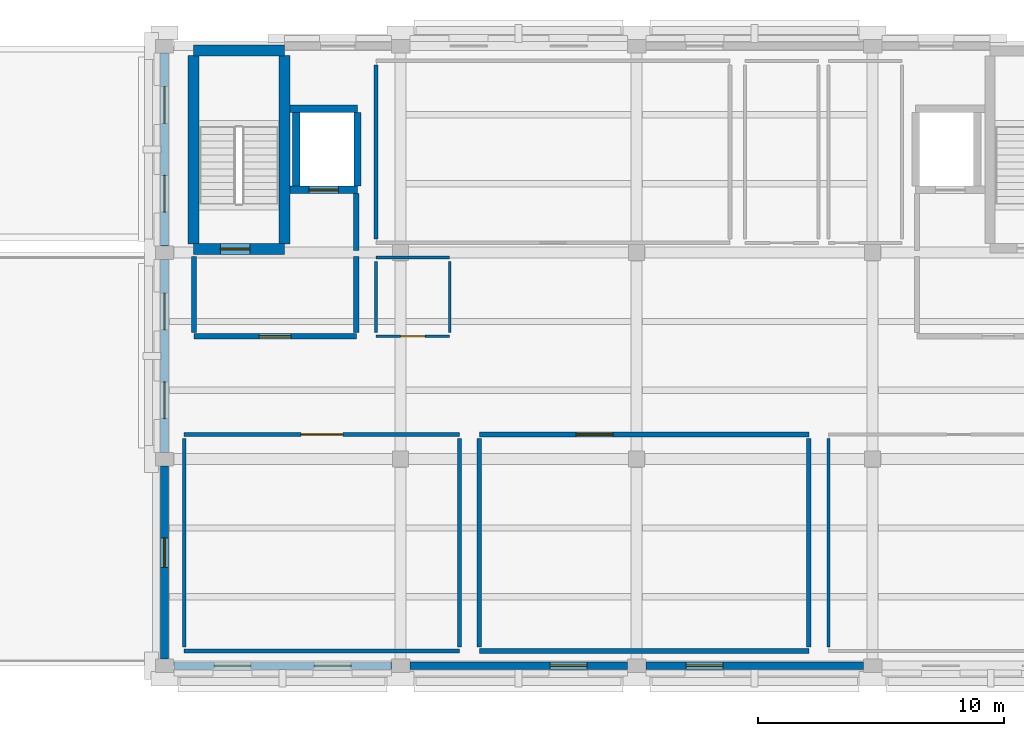
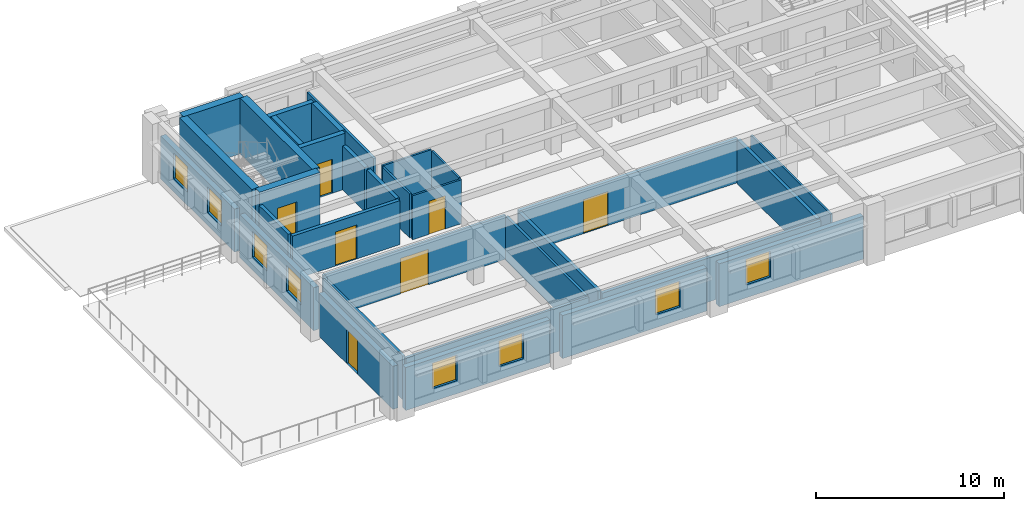
# One storey, part 2 of 7: 32 walls, 8 windows, 7 doors, 15 openings.
"""IFC4 building model written with IfcOpenShell, lengths in metres."""

import ifcopenshell
import ifcopenshell.guid

model = None  # the IFC model being written
_history = None  # IfcOwnerHistory: only IFC2X3 demands one
_inside = {}  # id of a spatial element -> (the spatial element, [elements in it])
_under = {}  # id of a project, library or spatial element -> (it, [spatial elements below it])
_declared = {}  # id of a project -> (the project, [libraries it declares])
_typed = {}  # id of a type object -> (the type object, [elements of that type])
_made_of = {}  # id of a material, layer set ... -> (it, [elements and type objects made of it])


def new_model(schema):
    """Start an empty IFC model of exactly this schema.

    Asked for "IFC4X3", IfcOpenShell would pick the latest addendum, in which some entities
    have other attributes; the version numbers below select the first issue.
    IFC2X3 requires an IfcOwnerHistory on every rooted entity: one is made here for all.
    """
    global model, _history
    if schema == "IFC4X3":
        model = ifcopenshell.file(schema_version=(4, 3, 0, 0))
    else:
        model = ifcopenshell.file(schema=schema)
    _inside.clear()
    _under.clear()
    _declared.clear()
    _typed.clear()
    _made_of.clear()
    _history = None
    if model.schema == "IFC2X3":
        org = make("IfcOrganization", Name="unknown")
        user = make(
            "IfcPersonAndOrganization",
            ThePerson=make("IfcPerson", FamilyName="unknown"),
            TheOrganization=org,
        )
        app = make(
            "IfcApplication",
            ApplicationDeveloper=org,
            Version="unknown",
            ApplicationFullName="unknown",
            ApplicationIdentifier="unknown",
        )
        _history = make(
            "IfcOwnerHistory",
            OwningUser=user,
            OwningApplication=app,
            ChangeAction="ADDED",
            CreationDate=0,
        )
    return model


def make(cls, **values):
    """One entity of the class cls with the attributes given. An attribute that is None is left unset."""
    return model.create_entity(
        cls, **{name: value for name, value in values.items() if value is not None}
    )


def rooted(cls, **values):
    """An entity with a GlobalId (a new one), such as an element, a storey or a relation."""
    return make(cls, GlobalId=ifcopenshell.guid.new(), OwnerHistory=_history, **values)


def si_unit(unit_type, name, prefix=None):
    """IfcSIUnit, for example si_unit("LENGTHUNIT", "METRE", prefix="MILLI")."""
    return make("IfcSIUnit", UnitType=unit_type, Prefix=prefix, Name=name)


def assignment(units):
    """IfcUnitAssignment: the units of a project."""
    return None if units is None else make("IfcUnitAssignment", Units=units)


def point(xyz):
    """IfcCartesianPoint."""
    return None if xyz is None else make("IfcCartesianPoint", Coordinates=xyz)


def direction(xyz):
    """IfcDirection."""
    return None if xyz is None else make("IfcDirection", DirectionRatios=xyz)


def frame(location, z_axis=None, x_axis=None):
    """IfcAxis2Placement3D, a coordinate frame: its origin and axes. An axis left out is left unset."""
    return make(
        "IfcAxis2Placement3D",
        Location=point(location),
        Axis=direction(z_axis),
        RefDirection=direction(x_axis),
    )


def frame_2d(location, x_axis=None):
    """IfcAxis2Placement2D, a coordinate frame in the plane: its origin and x axis."""
    return make(
        "IfcAxis2Placement2D", Location=point(location), RefDirection=direction(x_axis)
    )


def origin():
    """The frame at (0, 0, 0) with its axes left unset."""
    return frame((0.0, 0.0, 0.0))


def place(relative_to, where):
    """IfcLocalPlacement: puts the frame where relative to a parent placement (None: the world)."""
    return make(
        "IfcLocalPlacement", PlacementRelTo=relative_to, RelativePlacement=where
    )


def context(
    kind, dimensions, precision=None, world=None, true_north=None, identifier=None
):
    """IfcGeometricRepresentationContext, for example the 3D "Model" context."""
    return make(
        "IfcGeometricRepresentationContext",
        ContextIdentifier=identifier,
        ContextType=kind,
        CoordinateSpaceDimension=dimensions,
        Precision=precision,
        WorldCoordinateSystem=world,
        TrueNorth=true_north,
    )


def subcontext(parent, identifier, kind, view, scale=None):
    """IfcGeometricRepresentationSubContext, for example "Body" below "Model"."""
    return make(
        "IfcGeometricRepresentationSubContext",
        ContextIdentifier=identifier,
        ContextType=kind,
        ParentContext=parent,
        TargetScale=scale,
        TargetView=view,
    )


def project(units=None, contexts=None):
    """IfcProject with its units and contexts."""
    return rooted(
        "IfcProject",
        Name="project",
        RepresentationContexts=contexts,
        UnitsInContext=assignment(units),
    )


def spatial(cls, under=None, at=None, **own):
    """A site, building, storey or space (cls), placed at a placement, below another one or the project."""
    s = rooted(cls, ObjectPlacement=at, **own)
    if under is not None:
        _under.setdefault(under.id(), (under, []))[1].append(s)
    return s


def profile(cls, at=None, kind="AREA", **sizes):
    """A parametric profile (cls). Its sizes go by their IFC names, for example OverallWidth=200.0."""
    return make(cls, ProfileType=kind, Position=at, **sizes)


def rectangle(**sizes):
    """IfcRectangleProfileDef."""
    return profile("IfcRectangleProfileDef", **sizes)


def extrude(swept, where, along, depth):
    """IfcExtrudedAreaSolid: the profile swept, set in the frame where, extruded along a direction by depth."""
    return make(
        "IfcExtrudedAreaSolid",
        SweptArea=swept,
        Position=where,
        ExtrudedDirection=direction(along),
        Depth=depth,
    )


def shape(context_of_items, identifier, shape_type, items):
    """IfcShapeRepresentation: the items that make up one representation, for example the "Body"."""
    return make(
        "IfcShapeRepresentation",
        ContextOfItems=context_of_items,
        RepresentationIdentifier=identifier,
        RepresentationType=shape_type,
        Items=items,
    )


def material(Name=None, Category=None):
    """IfcMaterial."""
    return make("IfcMaterial", Name=Name, Category=Category)


def layer(
    of_material, thickness, ventilated=None, Name=None, Category=None, Priority=None
):
    """IfcMaterialLayer: one layer of a wall or slab, of a material (None: an air gap)."""
    return make(
        "IfcMaterialLayer",
        Material=of_material,
        LayerThickness=thickness,
        IsVentilated=ventilated,
        Name=Name,
        Category=Category,
        Priority=Priority,
    )


def layer_set(layers, Name=None):
    """IfcMaterialLayerSet."""
    return make("IfcMaterialLayerSet", MaterialLayers=layers, LayerSetName=Name)


def made_of(thing, what):
    """Note that an element or type object is made of a material, layer set ...; save() writes the relation."""
    if what is not None:
        _made_of.setdefault(what.id(), (what, []))[1].append(thing)
    return thing


def type_object(cls, material=None, **own):
    """A type object (cls), such as IfcWallType, which elements share."""
    return made_of(rooted(cls, **own), material)


def element(
    cls,
    number,
    at=None,
    inside=None,
    cuts=None,
    type_object=None,
    material=None,
    context=None,
    identifier="Body",
    shape_type=None,
    held_by="IfcProductDefinitionShape",
    body=None,
    shapes=None,
    **own,
):
    """One element of the class cls, such as IfcWall. Its Tag is "e" and its number.

    at: its placement. inside: the storey or other place that contains it. cuts: it is an
    opening in that element (IfcRelVoidsElement). A single representation is given by context,
    identifier, shape_type and body (its items); several are given by shapes. held_by: the class
    of the entity that holds the representations. save() writes the other relations.
    """
    e = rooted(cls, Tag="e%d" % number, ObjectPlacement=at, **own)
    if body is not None:
        shapes = [shape(context, identifier, shape_type, body)]
    if shapes is not None:
        e.Representation = make(held_by, Representations=shapes)
    if inside is not None:
        _inside.setdefault(inside.id(), (inside, []))[1].append(e)
    if cuts is not None:
        rooted(
            "IfcRelVoidsElement", RelatingBuildingElement=cuts, RelatedOpeningElement=e
        )
    if type_object is not None:
        _typed.setdefault(type_object.id(), (type_object, []))[1].append(e)
    return made_of(e, material)


def fill(opening, filler):
    """IfcRelFillsElement: the door or window that sits in an opening."""
    return rooted(
        "IfcRelFillsElement",
        RelatingOpeningElement=opening,
        RelatedBuildingElement=filler,
    )


def aggregate(whole, parts):
    """IfcRelAggregates: a whole, such as a stair, and the parts it consists of."""
    return rooted("IfcRelAggregates", RelatingObject=whole, RelatedObjects=parts)


def save(model, path):
    """Write the relations noted so far, then the file.

    IfcRelAggregates (storeys below a building ...), IfcRelContainedInSpatialStructure (elements
    in a storey), IfcRelDefinesByType, IfcRelAssociatesMaterial and IfcRelDeclares: one each for
    every whole, place, type object, material and project.
    """
    for whole, parts in _under.values():
        aggregate(whole, parts)
    for where, things in _inside.values():
        rooted(
            "IfcRelContainedInSpatialStructure",
            RelatedElements=things,
            RelatingStructure=where,
        )
    for kind, things in _typed.values():
        rooted("IfcRelDefinesByType", RelatedObjects=things, RelatingType=kind)
    for what, things in _made_of.values():
        rooted("IfcRelAssociatesMaterial", RelatedObjects=things, RelatingMaterial=what)
    for by, libraries in _declared.values():
        rooted("IfcRelDeclares", RelatingContext=by, RelatedDefinitions=libraries)
    model.write(path)


model = new_model("IFC4")

# Units and contexts
model_context = context("Model", 3, precision=1e-05, world=origin(), true_north=direction((0.0, 1.0)))
body_context = subcontext(model_context, "Body", "Model", "MODEL_VIEW")
ifc_project = project(units=[si_unit("LENGTHUNIT", "METRE"), si_unit("AREAUNIT", "SQUARE_METRE"), si_unit("VOLUMEUNIT", "CUBIC_METRE"), si_unit("PLANEANGLEUNIT", "RADIAN"), si_unit("MASSUNIT", "GRAM", prefix="KILO")], contexts=[model_context])

# Site, building, storey
site_placement = place(None, origin())
site = spatial("IfcSite", under=ifc_project, at=site_placement, CompositionType="ELEMENT")
building_placement = place(site_placement, origin())
building = spatial("IfcBuilding", under=site, at=building_placement, Name="Bempovik Park Faculty of Sciences", CompositionType="ELEMENT")
storey_placement = place(building_placement, frame((0.0, 0.0, 38.39990234375)))
storey = spatial("IfcBuildingStorey", under=building, at=storey_placement, Name="L09", CompositionType="ELEMENT", Elevation=38.39990234375)

# Wall, opening, door
ifc_material_1 = material(Name="Concrete C40/50", Category="concrete")
ifc_layer_1 = layer(ifc_material_1, 0.449951171875)
ifc_layer_set_1 = layer_set([ifc_layer_1], Name="Concrete C40/50")
wall_type_1 = type_object("IfcWallType", Name="W-15 Wall 450mm", PredefinedType="SHEAR", material=ifc_layer_set_1)
wall_1_placement = place(storey_placement, frame((70.77490234375, 111.14990234375, 0.0), z_axis=(0.0, 0.0, 1.0), x_axis=(1.0, 0.0, 0.0)))
wall_1 = element("IfcWall", 1, at=wall_1_placement, inside=storey, type_object=wall_type_1, Name="ST-1 L09 Core Shear Wall South", PredefinedType="SHEAR", context=body_context, shape_type="SweptSolid", body=[
    extrude(rectangle(XDim=3.7001953125, YDim=0.449951171875, at=frame_2d((1.85009765625, 0.0))), origin(), (0.0, 0.0, 1.0), 3.6201171875),
])
opening_1_placement = place(wall_1_placement, frame((1.10009765625, 0.0, 0.0)))
opening_1 = element("IfcOpeningElement", 2, at=opening_1_placement, cuts=wall_1, Name="Opening D-49", PredefinedType="OPENING", context=body_context, shape_type="SweptSolid", body=[
    extrude(rectangle(XDim=1.199951171875, YDim=2.199951171875, at=frame_2d((0.60009765625, 1.10009765625))), frame((0.0, 0.23486328125, 0.0), z_axis=(0.0, -1.0, 0.0), x_axis=(1.0, 0.0, 0.0)), (0.0, 0.0, 1.0), 0.469970703125),
])
ifc_material_2 = material(Name="Painted steel S355", Category="steel")
door_type_1 = type_object("IfcDoorType", Name="D-49 Door 1200x2200", OperationType="NOTDEFINED", PredefinedType="DOOR", material=ifc_material_2)
door_1_placement = place(opening_1_placement, origin())
door_1 = element("IfcDoor", 3, at=door_1_placement, inside=storey, type_object=door_type_1, Name="ST-1 L09 Protected Stair Smoke Door", OperationType="SINGLE_SWING_LEFT", OverallHeight=2.199951171875, OverallWidth=1.199951171875, PredefinedType="DOOR", context=body_context, shape_type="SweptSolid", body=[
    extrude(rectangle(XDim=1.199951171875, YDim=2.199951171875, at=frame_2d((0.60009765625, 1.10009765625))), frame((0.0, 0.02490234375, 0.0), z_axis=(0.0, -1.0, 0.0), x_axis=(1.0, 0.0, 0.0)), (0.0, 0.0, 1.0), 0.050048828125),
])
fill(opening_1, door_1)

# Walls
for number, where, z_axis, x_axis, name in (
    (4, (70.77490234375, 111.35009765625, 0.0), (0.0, 0.0, 1.0), (0.0, 1.0, 0.0), "ST-1 L09 Core Shear Wall West"),
    (5, (74.47509765625, 111.35009765625, 0.0), (0.0, 0.0, 1.0), (0.0, 1.0, 0.0), "ST-1 L09 Core Shear Wall East"),
):
    element("IfcWall", number, at=place(storey_placement, frame(where, z_axis=z_axis, x_axis=x_axis)), inside=storey, type_object=wall_type_1, Name=name, PredefinedType="SHEAR", context=body_context, shape_type="SweptSolid", body=[
        extrude(rectangle(XDim=7.6748046875, YDim=0.449951171875, at=frame_2d((3.83740234375, 0.0))), origin(), (0.0, 0.0, 1.0), 3.6201171875),
    ])
wall_2_placement = place(storey_placement, frame((70.77490234375, 119.22509765625, 0.0), z_axis=(0.0, 0.0, 1.0), x_axis=(1.0, 0.0, 0.0)))
element("IfcWall", 6, at=wall_2_placement, inside=storey, type_object=wall_type_1, Name="ST-1 L09 Core Shear Wall North", PredefinedType="SHEAR", context=body_context, shape_type="SweptSolid", body=[
    extrude(rectangle(XDim=3.7001953125, YDim=0.449951171875, at=frame_2d((1.85009765625, 0.0))), origin(), (0.0, 0.0, 1.0), 3.6201171875),
])
ifc_material_3 = material(Name="Gypsum acoustic stud assembly")
ifc_layer_2 = layer(ifc_material_3, 0.1201171875)
ifc_layer_set_2 = layer_set([ifc_layer_2], Name="Gypsum acoustic stud assembly")
wall_type_2 = type_object("IfcWallType", Name="W-17 Wall 120mm", PredefinedType="PARTITIONING", material=ifc_layer_set_2)
wall_3_placement = place(storey_placement, frame((96.60009765625, 94.9599609375, 0.0), z_axis=(0.0, 0.0, 1.0), x_axis=(0.0, 1.0, 0.0)))
element("IfcWall", 7, at=wall_3_placement, inside=storey, type_object=wall_type_2, Name="L09 East Terrace Faculty Offices Partition West", PredefinedType="PARTITIONING", context=body_context, shape_type="SweptSolid", body=[
    extrude(rectangle(XDim=8.47998046875, YDim=0.1201171875, at=frame_2d((4.239990234375, 0.0))), origin(), (0.0, 0.0, 1.0), 2.85009765625),
])

# Wall, opening, door
wall_4_placement = place(storey_placement, frame((78.199951171875, 107.60009765625, 0.0), z_axis=(0.0, 0.0, 1.0), x_axis=(1.0, 0.0, 0.0)))
wall_4 = element("IfcWall", 8, at=wall_4_placement, inside=storey, type_object=wall_type_2, Name="L09 L09 Accessible WC Partition South", PredefinedType="PARTITIONING", context=body_context, shape_type="SweptSolid", body=[
    extrude(rectangle(XDim=3.0, YDim=0.1201171875, at=frame_2d((1.5, 0.0))), origin(), (0.0, 0.0, 1.0), 2.85009765625),
])
opening_2_placement = place(wall_4_placement, frame((1.0, 0.0, 0.0)))
opening_2 = element("IfcOpeningElement", 9, at=opening_2_placement, cuts=wall_4, Name="Opening D-50", PredefinedType="OPENING", context=body_context, shape_type="SweptSolid", body=[
    extrude(rectangle(XDim=1.0, YDim=2.14990234375, at=frame_2d((0.5, 1.074951171875))), frame((0.0, 0.070068359375, 0.0), z_axis=(0.0, -1.0, 0.0), x_axis=(1.0, 0.0, 0.0)), (0.0, 0.0, 1.0), 0.14013671875),
])
ifc_material_4 = material(Name="West African hardwood finish", Category="wood")
door_type_2 = type_object("IfcDoorType", Name="D-50 Door 1000x2150", OperationType="NOTDEFINED", PredefinedType="DOOR", material=ifc_material_4)
door_2_placement = place(opening_2_placement, origin())
door_2 = element("IfcDoor", 10, at=door_2_placement, inside=storey, type_object=door_type_2, Name="L09 L09 Accessible WC Door", OperationType="SINGLE_SWING_RIGHT", OverallHeight=2.14990234375, OverallWidth=1.0, PredefinedType="DOOR", context=body_context, shape_type="SweptSolid", body=[
    extrude(rectangle(XDim=1.0, YDim=2.14990234375, at=frame_2d((0.5, 1.074951171875))), frame((0.0, 0.02490234375, 0.0), z_axis=(0.0, -1.0, 0.0), x_axis=(1.0, 0.0, 0.0)), (0.0, 0.0, 1.0), 0.050048828125),
])
fill(opening_2, door_2)

# Walls
wall_5_placement = place(storey_placement, frame((78.199951171875, 110.800048828125, 0.0), z_axis=(0.0, 0.0, 1.0), x_axis=(1.0, 0.0, 0.0)))
element("IfcWall", 11, at=wall_5_placement, inside=storey, type_object=wall_type_2, Name="L09 L09 Accessible WC Partition North", PredefinedType="PARTITIONING", context=body_context, shape_type="SweptSolid", body=[
    extrude(rectangle(XDim=3.0, YDim=0.1201171875, at=frame_2d((1.5, 0.0))), origin(), (0.0, 0.0, 1.0), 2.85009765625),
])
for number, where, z_axis, x_axis, name in (
    (12, (78.199951171875, 107.760009765625, 0.0), (0.0, 0.0, 1.0), (0.0, 1.0, 0.0), "L09 L09 Accessible WC Partition West"),
    (13, (81.199951171875, 107.760009765625, 0.0), (0.0, 0.0, 1.0), (0.0, 1.0, 0.0), "L09 L09 Accessible WC Partition East"),
):
    element("IfcWall", number, at=place(storey_placement, frame(where, z_axis=z_axis, x_axis=x_axis)), inside=storey, type_object=wall_type_2, Name=name, PredefinedType="PARTITIONING", context=body_context, shape_type="SweptSolid", body=[
        extrude(rectangle(XDim=2.8798828125, YDim=0.1201171875, at=frame_2d((1.43994140625, 0.0))), origin(), (0.0, 0.0, 1.0), 2.85009765625),
    ])

# Wall, opening, door
ifc_layer_3 = layer(ifc_material_1, 0.300048828125)
ifc_layer_set_3 = layer_set([ifc_layer_3], Name="Concrete C40/50")
wall_type_3 = type_object("IfcWallType", Name="W-31 Wall 300mm", PredefinedType="SHEAR", material=ifc_layer_set_3)
wall_6_placement = place(storey_placement, frame((74.699951171875, 113.550048828125, 0.0), z_axis=(0.0, 0.0, 1.0), x_axis=(1.0, 0.0, 0.0)))
wall_6 = element("IfcWall", 14, at=wall_6_placement, inside=storey, type_object=wall_type_3, Name="Lift LF-1 L09 Shaft Wall South", PredefinedType="SHEAR", context=body_context, shape_type="SweptSolid", body=[
    extrude(rectangle(XDim=2.75, YDim=0.300048828125, at=frame_2d((1.375, 0.0))), origin(), (0.0, 0.0, 1.0), 3.6201171875),
])
opening_3_placement = place(wall_6_placement, frame((0.77490234375, 0.0, 0.0)))
opening_3 = element("IfcOpeningElement", 15, at=opening_3_placement, cuts=wall_6, Name="Opening LD-01", PredefinedType="OPENING", context=body_context, shape_type="SweptSolid", body=[
    extrude(rectangle(XDim=1.199951171875, YDim=2.199951171875, at=frame_2d((0.60009765625, 1.10009765625))), frame((0.0, 0.16015625, 0.0), z_axis=(0.0, -1.0, 0.0), x_axis=(1.0, 0.0, 0.0)), (0.0, 0.0, 1.0), 0.320068359375),
])
door_type_3 = type_object("IfcDoorType", Name="LD-01 Door 1200x2200", OperationType="NOTDEFINED", PredefinedType="DOOR", material=ifc_material_2)
door_3_placement = place(opening_3_placement, origin())
door_3 = element("IfcDoor", 16, at=door_3_placement, inside=storey, type_object=door_type_3, Name="Lift LF-1 L09 Sliding Landing Door", OperationType="SLIDING_TO_LEFT", OverallHeight=2.199951171875, OverallWidth=1.199951171875, PredefinedType="DOOR", context=body_context, shape_type="SweptSolid", body=[
    extrude(rectangle(XDim=1.199951171875, YDim=2.199951171875, at=frame_2d((0.60009765625, 1.10009765625))), frame((0.0, 0.02490234375, 0.0), z_axis=(0.0, -1.0, 0.0), x_axis=(1.0, 0.0, 0.0)), (0.0, 0.0, 1.0), 0.050048828125),
])
fill(opening_3, door_3)

# Walls
wall_7_placement = place(storey_placement, frame((74.699951171875, 116.85009765625, 0.0), z_axis=(0.0, 0.0, 1.0), x_axis=(1.0, 0.0, 0.0)))
element("IfcWall", 17, at=wall_7_placement, inside=storey, type_object=wall_type_3, Name="Lift LF-1 L09 Shaft Wall North", PredefinedType="SHEAR", context=body_context, shape_type="SweptSolid", body=[
    extrude(rectangle(XDim=2.75, YDim=0.300048828125, at=frame_2d((1.375, 0.0))), origin(), (0.0, 0.0, 1.0), 3.6201171875),
])
for number, where, z_axis, x_axis, name in (
    (18, (74.949951171875, 113.699951171875, 0.0), (0.0, 0.0, 1.0), (0.0, 1.0, 0.0), "Lift LF-1 L09 Shaft Wall West"),
    (19, (77.449951171875, 113.699951171875, 0.0), (0.0, 0.0, 1.0), (0.0, 1.0, 0.0), "Lift LF-1 L09 Shaft Wall East"),
):
    element("IfcWall", number, at=place(storey_placement, frame(where, z_axis=z_axis, x_axis=x_axis)), inside=storey, type_object=wall_type_3, Name=name, PredefinedType="SHEAR", context=body_context, shape_type="SweptSolid", body=[
        extrude(rectangle(XDim=3.0, YDim=0.300048828125, at=frame_2d((1.5, 0.0))), origin(), (0.0, 0.0, 1.0), 3.6201171875),
    ])

# Wall, opening, door
ifc_material_5 = material(Name="Concrete C35/45", Category="concrete")
ifc_layer_4 = layer(ifc_material_5, 0.219970703125)
ifc_layer_set_4 = layer_set([ifc_layer_4], Name="Concrete C35/45")
wall_type_4 = type_object("IfcWallType", Name="W-38 Wall 220mm", PredefinedType="PARTITIONING", material=ifc_layer_set_4)
wall_8_placement = place(storey_placement, frame((70.800048828125, 107.60009765625, 0.0), z_axis=(0.0, 0.0, 1.0), x_axis=(1.0, 0.0, 0.0)))
wall_8 = element("IfcWall", 20, at=wall_8_placement, inside=storey, type_object=wall_type_4, Name="L09 Firefighting Lift Lobby West Partition South", PredefinedType="PARTITIONING", context=body_context, shape_type="SweptSolid", body=[
    extrude(rectangle(XDim=6.599853515625, YDim=0.219970703125, at=frame_2d((3.2998046875, 0.0))), origin(), (0.0, 0.0, 1.0), 2.85009765625),
])
opening_4_placement = place(wall_8_placement, frame((2.64990234375, 0.0, 0.0)))
opening_4 = element("IfcOpeningElement", 21, at=opening_4_placement, cuts=wall_8, Name="Opening D-38", PredefinedType="OPENING", context=body_context, shape_type="SweptSolid", body=[
    extrude(rectangle(XDim=1.300048828125, YDim=2.199951171875, at=frame_2d((0.64990234375, 1.10009765625))), frame((0.0, 0.1201171875, 0.0), z_axis=(0.0, -1.0, 0.0), x_axis=(1.0, 0.0, 0.0)), (0.0, 0.0, 1.0), 0.239990234375),
])
door_type_4 = type_object("IfcDoorType", Name="D-38 Door 1300x2200", OperationType="NOTDEFINED", PredefinedType="DOOR", material=ifc_material_2)
door_4_placement = place(opening_4_placement, origin())
door_4 = element("IfcDoor", 22, at=door_4_placement, inside=storey, type_object=door_type_4, Name="L09 Firefighting Lift Lobby West Door", OperationType="SINGLE_SWING_RIGHT", OverallHeight=2.199951171875, OverallWidth=1.300048828125, PredefinedType="DOOR", context=body_context, shape_type="SweptSolid", body=[
    extrude(rectangle(XDim=1.300048828125, YDim=2.199951171875, at=frame_2d((0.64990234375, 1.10009765625))), frame((0.0, 0.02490234375, 0.0), z_axis=(0.0, -1.0, 0.0), x_axis=(1.0, 0.0, 0.0)), (0.0, 0.0, 1.0), 0.050048828125),
])
fill(opening_4, door_4)

# Walls
wall_9_placement = place(storey_placement, frame((77.39990234375, 111.080078125, 0.0), z_axis=(0.0, 0.0, 1.0), x_axis=(0.0, 1.0, 0.0)))
element("IfcWall", 23, at=wall_9_placement, inside=storey, type_object=wall_type_4, Name="L09 Firefighting Lobby West Lift Link Wall", PredefinedType="PARTITIONING", context=body_context, shape_type="SweptSolid", body=[
    extrude(rectangle(XDim=2.31982421875, YDim=0.219970703125, at=frame_2d((1.159912109375, 0.0))), origin(), (0.0, 0.0, 1.0), 2.85009765625),
])
for number, where, z_axis, x_axis, name in (
    (24, (70.800048828125, 107.760009765625, 0.0), (0.0, 0.0, 1.0), (0.0, 1.0, 0.0), "L09 Firefighting Lift Lobby West Partition West"),
    (25, (77.39990234375, 107.760009765625, 0.0), (0.0, 0.0, 1.0), (0.0, 1.0, 0.0), "L09 Firefighting Lift Lobby West Partition East"),
):
    element("IfcWall", number, at=place(storey_placement, frame(where, z_axis=z_axis, x_axis=x_axis)), inside=storey, type_object=wall_type_4, Name=name, PredefinedType="PARTITIONING", context=body_context, shape_type="SweptSolid", body=[
        extrude(rectangle(XDim=3.080078125, YDim=0.219970703125, at=frame_2d((1.5400390625, 0.0))), origin(), (0.0, 0.0, 1.0), 2.85009765625),
    ])
ifc_layer_5 = layer(ifc_material_3, 0.14990234375)
ifc_layer_set_5 = layer_set([ifc_layer_5], Name="Gypsum acoustic stud assembly")
wall_type_5 = type_object("IfcWallType", Name="W-42 Wall 150mm", PredefinedType="PARTITIONING", material=ifc_layer_set_5)
wall_10_placement = place(storey_placement, frame((70.39990234375, 94.800048828125, 0.0), z_axis=(0.0, 0.0, 1.0), x_axis=(1.0, 0.0, 0.0)))
element("IfcWall", 26, at=wall_10_placement, inside=storey, type_object=wall_type_5, Name="L09 West Terrace Research Lounge Partition South", PredefinedType="PARTITIONING", context=body_context, shape_type="SweptSolid", body=[
    extrude(rectangle(XDim=11.2001953125, YDim=0.14990234375, at=frame_2d((5.60009765625, 0.0))), origin(), (0.0, 0.0, 1.0), 2.85009765625),
])

# Wall, opening, door
wall_11_placement = place(storey_placement, frame((70.39990234375, 103.60009765625, 0.0), z_axis=(0.0, 0.0, 1.0), x_axis=(1.0, 0.0, 0.0)))
wall_11 = element("IfcWall", 27, at=wall_11_placement, inside=storey, type_object=wall_type_5, Name="L09 West Terrace Research Lounge Partition North", PredefinedType="PARTITIONING", context=body_context, shape_type="SweptSolid", body=[
    extrude(rectangle(XDim=11.2001953125, YDim=0.14990234375, at=frame_2d((5.60009765625, 0.0))), origin(), (0.0, 0.0, 1.0), 2.85009765625),
])
opening_5_placement = place(wall_11_placement, frame((4.75, 0.0, 0.0)))
opening_5 = element("IfcOpeningElement", 28, at=opening_5_placement, cuts=wall_11, Name="Opening D-40", PredefinedType="OPENING", context=body_context, shape_type="SweptSolid", body=[
    extrude(rectangle(XDim=1.699951171875, YDim=2.300048828125, at=frame_2d((0.85009765625, 1.14990234375))), frame((0.0, 0.0849609375, 0.0), z_axis=(0.0, -1.0, 0.0), x_axis=(1.0, 0.0, 0.0)), (0.0, 0.0, 1.0), 0.169921875),
])
ifc_material_6 = material(Name="Anodised architectural bronze")
door_type_5 = type_object("IfcDoorType", Name="D-40 Door 1700x2300", OperationType="NOTDEFINED", PredefinedType="DOOR", material=ifc_material_6)
door_5_placement = place(opening_5_placement, origin())
door_5 = element("IfcDoor", 29, at=door_5_placement, inside=storey, type_object=door_type_5, Name="L09 West Terrace Research Lounge Door", OperationType="DOUBLE_DOOR_SINGLE_SWING", OverallHeight=2.300048828125, OverallWidth=1.699951171875, PredefinedType="DOOR", context=body_context, shape_type="SweptSolid", body=[
    extrude(rectangle(XDim=1.699951171875, YDim=2.300048828125, at=frame_2d((0.85009765625, 1.14990234375))), frame((0.0, 0.02490234375, 0.0), z_axis=(0.0, -1.0, 0.0), x_axis=(1.0, 0.0, 0.0)), (0.0, 0.0, 1.0), 0.050048828125),
])
fill(opening_5, door_5)

# Walls
for number, where, z_axis, x_axis, name in (
    (30, (70.39990234375, 94.9599609375, 0.0), (0.0, 0.0, 1.0), (0.0, 1.0, 0.0), "L09 West Terrace Research Lounge Partition West"),
    (31, (81.60009765625, 94.9599609375, 0.0), (0.0, 0.0, 1.0), (0.0, 1.0, 0.0), "L09 West Terrace Research Lounge Partition East"),
):
    element("IfcWall", number, at=place(storey_placement, frame(where, z_axis=z_axis, x_axis=x_axis)), inside=storey, type_object=wall_type_5, Name=name, PredefinedType="PARTITIONING", context=body_context, shape_type="SweptSolid", body=[
        extrude(rectangle(XDim=8.47998046875, YDim=0.14990234375, at=frame_2d((4.239990234375, 0.0))), origin(), (0.0, 0.0, 1.0), 2.85009765625),
    ])
wall_12_placement = place(storey_placement, frame((78.199951171875, 111.56005859375, 0.0), z_axis=(0.0, 0.0, 1.0), x_axis=(0.0, 1.0, 0.0)))
element("IfcWall", 32, at=wall_12_placement, inside=storey, type_object=wall_type_5, Name="L09 Energy Systems Seminar Room Partition West", PredefinedType="PARTITIONING", context=body_context, shape_type="SweptSolid", body=[
    extrude(rectangle(XDim=7.079833984375, YDim=0.14990234375, at=frame_2d((3.5400390625, 0.0))), origin(), (0.0, 0.0, 1.0), 2.85009765625),
])

# Wall, opening, door
ifc_material_7 = material(Name="Precast concrete C40/50", Category="concrete")
ifc_layer_6 = layer(ifc_material_7, 0.320068359375)
ifc_layer_set_6 = layer_set([ifc_layer_6], Name="Precast concrete C40/50")
wall_type_6 = type_object("IfcWallType", Name="W-56 Wall 320mm", PredefinedType="SOLIDWALL", material=ifc_layer_set_6)
wall_13_placement = place(storey_placement, frame((69.60009765625, 94.47705078125, 0.0), z_axis=(0.0, 0.0, 1.0), x_axis=(0.0, 1.0, 0.0)))
wall_13 = element("IfcWall", 33, at=wall_13_placement, inside=storey, type_object=wall_type_6, Name="L09 Classical Precast Facade Wall EW-L09-11064", PredefinedType="SOLIDWALL", context=body_context, shape_type="SweptSolid", body=[
    extrude(rectangle(XDim=7.845947265625, YDim=0.320068359375, at=frame_2d((3.9228515625, 0.0))), origin(), (0.0, 0.0, 1.0), 2.780029296875),
])
opening_6_placement = place(wall_13_placement, frame((3.722900390625, 0.0, 0.0)))
opening_6 = element("IfcOpeningElement", 34, at=opening_6_placement, cuts=wall_13, Name="Opening D-34", PredefinedType="OPENING", context=body_context, shape_type="SweptSolid", body=[
    extrude(rectangle(XDim=1.199951171875, YDim=2.199951171875, at=frame_2d((0.60009765625, 1.10009765625))), frame((0.0, 0.169921875, 0.0), z_axis=(0.0, -1.0, 0.0), x_axis=(1.0, 0.0, 0.0)), (0.0, 0.0, 1.0), 0.340087890625),
])
door_type_6 = type_object("IfcDoorType", Name="D-34 Door 1200x2200", OperationType="NOTDEFINED", PredefinedType="DOOR", material=ifc_material_6)
door_6_placement = place(opening_6_placement, origin())
door_6 = element("IfcDoor", 35, at=door_6_placement, inside=storey, type_object=door_type_6, Name="L09 West Research Setback Terrace Door", OperationType="SINGLE_SWING_LEFT", OverallHeight=2.199951171875, OverallWidth=1.199951171875, PredefinedType="DOOR", context=body_context, shape_type="SweptSolid", body=[
    extrude(rectangle(XDim=1.199951171875, YDim=2.199951171875, at=frame_2d((0.60009765625, 1.10009765625))), frame((0.0, 0.02490234375, 0.0), z_axis=(0.0, -1.0, 0.0), x_axis=(1.0, 0.0, 0.0)), (0.0, 0.0, 1.0), 0.050048828125),
])
fill(opening_6, door_6)

# Wall, openings, windows
wall_14_placement = place(storey_placement, frame((69.60009765625, 102.876953125, 0.0), z_axis=(0.0, 0.0, 1.0), x_axis=(0.0, 1.0, 0.0)))
wall_14 = element("IfcWall", 36, at=wall_14_placement, inside=storey, type_object=wall_type_6, Name="L09 Classical Precast Facade Wall EW-L09-11068", PredefinedType="SOLIDWALL", context=body_context, shape_type="SweptSolid", body=[
    extrude(rectangle(XDim=7.845947265625, YDim=0.320068359375, at=frame_2d((3.9228515625, 0.0))), origin(), (0.0, 0.0, 1.0), 2.780029296875),
])
opening_7_placement = place(wall_14_placement, frame((1.368408203125, 0.0, 0.85009765625)))
opening_7 = element("IfcOpeningElement", 37, at=opening_7_placement, cuts=wall_14, Name="Opening WN-46", PredefinedType="OPENING", context=body_context, shape_type="SweptSolid", body=[
    extrude(rectangle(XDim=1.5, YDim=1.64990234375, at=frame_2d((0.75, 0.824951171875))), frame((0.0, 0.169921875, 0.0), z_axis=(0.0, -1.0, 0.0), x_axis=(1.0, 0.0, 0.0)), (0.0, 0.0, 1.0), 0.340087890625),
])
opening_8_placement = place(wall_14_placement, frame((4.9775390625, 0.0, 0.85009765625)))
opening_8 = element("IfcOpeningElement", 38, at=opening_8_placement, cuts=wall_14, Name="Opening WN-46", PredefinedType="OPENING", context=body_context, shape_type="SweptSolid", body=[
    extrude(rectangle(XDim=1.5, YDim=1.64990234375, at=frame_2d((0.75, 0.824951171875))), frame((0.0, 0.169921875, 0.0), z_axis=(0.0, -1.0, 0.0), x_axis=(1.0, 0.0, 0.0)), (0.0, 0.0, 1.0), 0.340087890625),
])
ifc_material_8 = material(Name="Tempered laminated low-E glass", Category="glass")
window_type = type_object("IfcWindowType", Name="WN-46 Window 1500x1650", PartitioningType="SINGLE_PANEL", PredefinedType="WINDOW", material=ifc_material_8)
window_1_placement = place(opening_7_placement, origin())
window_1 = element("IfcWindow", 39, at=window_1_placement, inside=storey, type_object=window_type, Name="L09 Window EW-L09-11068-1", OverallHeight=1.64990234375, OverallWidth=1.5, PartitioningType="SINGLE_PANEL", PredefinedType="WINDOW", context=body_context, shape_type="SweptSolid", body=[
    extrude(rectangle(XDim=1.5, YDim=1.64990234375, at=frame_2d((0.75, 0.824951171875))), frame((0.0, 0.030029296875, 0.0), z_axis=(0.0, -1.0, 0.0), x_axis=(1.0, 0.0, 0.0)), (0.0, 0.0, 1.0), 0.06005859375),
])
fill(opening_7, window_1)
window_2_placement = place(opening_8_placement, origin())
window_2 = element("IfcWindow", 40, at=window_2_placement, inside=storey, type_object=window_type, Name="L09 Window EW-L09-11068-2", OverallHeight=1.64990234375, OverallWidth=1.5, PartitioningType="SINGLE_PANEL", PredefinedType="WINDOW", context=body_context, shape_type="SweptSolid", body=[
    extrude(rectangle(XDim=1.5, YDim=1.64990234375, at=frame_2d((0.75, 0.824951171875))), frame((0.0, 0.030029296875, 0.0), z_axis=(0.0, -1.0, 0.0), x_axis=(1.0, 0.0, 0.0)), (0.0, 0.0, 1.0), 0.06005859375),
])
fill(opening_8, window_2)

wall_15_placement = place(storey_placement, frame((69.60009765625, 111.277099609375, 0.0), z_axis=(0.0, 0.0, 1.0), x_axis=(0.0, 1.0, 0.0)))
wall_15 = element("IfcWall", 41, at=wall_15_placement, inside=storey, type_object=wall_type_6, Name="L09 Classical Precast Facade Wall EW-L09-11080", PredefinedType="SOLIDWALL", context=body_context, shape_type="SweptSolid", body=[
    extrude(rectangle(XDim=7.845947265625, YDim=0.320068359375, at=frame_2d((3.9228515625, 0.0))), origin(), (0.0, 0.0, 1.0), 2.780029296875),
])
opening_9_placement = place(wall_15_placement, frame((1.368408203125, 0.0, 0.85009765625)))
opening_9 = element("IfcOpeningElement", 42, at=opening_9_placement, cuts=wall_15, Name="Opening WN-46", PredefinedType="OPENING", context=body_context, shape_type="SweptSolid", body=[
    extrude(rectangle(XDim=1.5, YDim=1.64990234375, at=frame_2d((0.75, 0.824951171875))), frame((0.0, 0.169921875, 0.0), z_axis=(0.0, -1.0, 0.0), x_axis=(1.0, 0.0, 0.0)), (0.0, 0.0, 1.0), 0.340087890625),
])
opening_10_placement = place(wall_15_placement, frame((4.9775390625, 0.0, 0.85009765625)))
opening_10 = element("IfcOpeningElement", 43, at=opening_10_placement, cuts=wall_15, Name="Opening WN-46", PredefinedType="OPENING", context=body_context, shape_type="SweptSolid", body=[
    extrude(rectangle(XDim=1.5, YDim=1.64990234375, at=frame_2d((0.75, 0.824951171875))), frame((0.0, 0.169921875, 0.0), z_axis=(0.0, -1.0, 0.0), x_axis=(1.0, 0.0, 0.0)), (0.0, 0.0, 1.0), 0.340087890625),
])
window_3_placement = place(opening_9_placement, origin())
window_3 = element("IfcWindow", 44, at=window_3_placement, inside=storey, type_object=window_type, Name="L09 Window EW-L09-11080-1", OverallHeight=1.64990234375, OverallWidth=1.5, PartitioningType="SINGLE_PANEL", PredefinedType="WINDOW", context=body_context, shape_type="SweptSolid", body=[
    extrude(rectangle(XDim=1.5, YDim=1.64990234375, at=frame_2d((0.75, 0.824951171875))), frame((0.0, 0.030029296875, 0.0), z_axis=(0.0, -1.0, 0.0), x_axis=(1.0, 0.0, 0.0)), (0.0, 0.0, 1.0), 0.06005859375),
])
fill(opening_9, window_3)
window_4_placement = place(opening_10_placement, origin())
window_4 = element("IfcWindow", 45, at=window_4_placement, inside=storey, type_object=window_type, Name="L09 Window EW-L09-11080-2", OverallHeight=1.64990234375, OverallWidth=1.5, PartitioningType="SINGLE_PANEL", PredefinedType="WINDOW", context=body_context, shape_type="SweptSolid", body=[
    extrude(rectangle(XDim=1.5, YDim=1.64990234375, at=frame_2d((0.75, 0.824951171875))), frame((0.0, 0.030029296875, 0.0), z_axis=(0.0, -1.0, 0.0), x_axis=(1.0, 0.0, 0.0)), (0.0, 0.0, 1.0), 0.06005859375),
])
fill(opening_10, window_4)

wall_16_placement = place(storey_placement, frame((69.97705078125, 94.199951171875, 0.0), z_axis=(0.0, 0.0, 1.0), x_axis=(1.0, 0.0, 0.0)))
wall_16 = element("IfcWall", 46, at=wall_16_placement, inside=storey, type_object=wall_type_6, Name="L09 Classical Precast Facade Wall EW-L09-11092", PredefinedType="SOLIDWALL", context=body_context, shape_type="SweptSolid", body=[
    extrude(rectangle(XDim=8.845947265625, YDim=0.320068359375, at=frame_2d((4.4228515625, 0.0))), origin(), (0.0, 0.0, 1.0), 2.780029296875),
])
opening_11_placement = place(wall_16_placement, frame((1.638427734375, 0.0, 0.85009765625)))
opening_11 = element("IfcOpeningElement", 47, at=opening_11_placement, cuts=wall_16, Name="Opening WN-46", PredefinedType="OPENING", context=body_context, shape_type="SweptSolid", body=[
    extrude(rectangle(XDim=1.5, YDim=1.64990234375, at=frame_2d((0.75, 0.824951171875))), frame((0.0, 0.169921875, 0.0), z_axis=(0.0, -1.0, 0.0), x_axis=(1.0, 0.0, 0.0)), (0.0, 0.0, 1.0), 0.340087890625),
])
opening_12_placement = place(wall_16_placement, frame((5.70751953125, 0.0, 0.85009765625)))
opening_12 = element("IfcOpeningElement", 48, at=opening_12_placement, cuts=wall_16, Name="Opening WN-46", PredefinedType="OPENING", context=body_context, shape_type="SweptSolid", body=[
    extrude(rectangle(XDim=1.5, YDim=1.64990234375, at=frame_2d((0.75, 0.824951171875))), frame((0.0, 0.169921875, 0.0), z_axis=(0.0, -1.0, 0.0), x_axis=(1.0, 0.0, 0.0)), (0.0, 0.0, 1.0), 0.340087890625),
])
window_5_placement = place(opening_11_placement, origin())
window_5 = element("IfcWindow", 49, at=window_5_placement, inside=storey, type_object=window_type, Name="L09 Window EW-L09-11092-1", OverallHeight=1.64990234375, OverallWidth=1.5, PartitioningType="SINGLE_PANEL", PredefinedType="WINDOW", context=body_context, shape_type="SweptSolid", body=[
    extrude(rectangle(XDim=1.5, YDim=1.64990234375, at=frame_2d((0.75, 0.824951171875))), frame((0.0, 0.030029296875, 0.0), z_axis=(0.0, -1.0, 0.0), x_axis=(1.0, 0.0, 0.0)), (0.0, 0.0, 1.0), 0.06005859375),
])
fill(opening_11, window_5)
window_6_placement = place(opening_12_placement, origin())
window_6 = element("IfcWindow", 50, at=window_6_placement, inside=storey, type_object=window_type, Name="L09 Window EW-L09-11092-2", OverallHeight=1.64990234375, OverallWidth=1.5, PartitioningType="SINGLE_PANEL", PredefinedType="WINDOW", context=body_context, shape_type="SweptSolid", body=[
    extrude(rectangle(XDim=1.5, YDim=1.64990234375, at=frame_2d((0.75, 0.824951171875))), frame((0.0, 0.030029296875, 0.0), z_axis=(0.0, -1.0, 0.0), x_axis=(1.0, 0.0, 0.0)), (0.0, 0.0, 1.0), 0.06005859375),
])
fill(opening_12, window_6)

# Wall, opening, window
wall_17_placement = place(storey_placement, frame((79.576904296875, 94.199951171875, 0.0), z_axis=(0.0, 0.0, 1.0), x_axis=(1.0, 0.0, 0.0)))
wall_17 = element("IfcWall", 51, at=wall_17_placement, inside=storey, type_object=wall_type_6, Name="L09 Classical Precast Facade Wall EW-L09-11105", PredefinedType="SOLIDWALL", context=body_context, shape_type="SweptSolid", body=[
    extrude(rectangle(XDim=8.84619140625, YDim=0.320068359375, at=frame_2d((4.423095703125, 0.0))), origin(), (0.0, 0.0, 1.0), 2.780029296875),
])
opening_13_placement = place(wall_17_placement, frame((5.70751953125, 0.0, 0.85009765625)))
opening_13 = element("IfcOpeningElement", 52, at=opening_13_placement, cuts=wall_17, Name="Opening WN-46", PredefinedType="OPENING", context=body_context, shape_type="SweptSolid", body=[
    extrude(rectangle(XDim=1.5, YDim=1.64990234375, at=frame_2d((0.75, 0.824951171875))), frame((0.0, 0.169921875, 0.0), z_axis=(0.0, -1.0, 0.0), x_axis=(1.0, 0.0, 0.0)), (0.0, 0.0, 1.0), 0.340087890625),
])
window_7_placement = place(opening_13_placement, origin())
window_7 = element("IfcWindow", 53, at=window_7_placement, inside=storey, type_object=window_type, Name="L09 Window EW-L09-11105-2", OverallHeight=1.64990234375, OverallWidth=1.5, PartitioningType="SINGLE_PANEL", PredefinedType="WINDOW", context=body_context, shape_type="SweptSolid", body=[
    extrude(rectangle(XDim=1.5, YDim=1.64990234375, at=frame_2d((0.75, 0.824951171875))), frame((0.0, 0.030029296875, 0.0), z_axis=(0.0, -1.0, 0.0), x_axis=(1.0, 0.0, 0.0)), (0.0, 0.0, 1.0), 0.06005859375),
])
fill(opening_13, window_7)

wall_18_placement = place(storey_placement, frame((89.177001953125, 94.199951171875, 0.0), z_axis=(0.0, 0.0, 1.0), x_axis=(1.0, 0.0, 0.0)))
wall_18 = element("IfcWall", 54, at=wall_18_placement, inside=storey, type_object=wall_type_6, Name="L09 Classical Precast Facade Wall EW-L09-11115", PredefinedType="SOLIDWALL", context=body_context, shape_type="SweptSolid", body=[
    extrude(rectangle(XDim=8.845947265625, YDim=0.320068359375, at=frame_2d((4.4228515625, 0.0))), origin(), (0.0, 0.0, 1.0), 2.780029296875),
])
opening_14_placement = place(wall_18_placement, frame((1.638427734375, 0.0, 0.85009765625)))
opening_14 = element("IfcOpeningElement", 55, at=opening_14_placement, cuts=wall_18, Name="Opening WN-46", PredefinedType="OPENING", context=body_context, shape_type="SweptSolid", body=[
    extrude(rectangle(XDim=1.5, YDim=1.64990234375, at=frame_2d((0.75, 0.824951171875))), frame((0.0, 0.169921875, 0.0), z_axis=(0.0, -1.0, 0.0), x_axis=(1.0, 0.0, 0.0)), (0.0, 0.0, 1.0), 0.340087890625),
])
window_8_placement = place(opening_14_placement, origin())
window_8 = element("IfcWindow", 56, at=window_8_placement, inside=storey, type_object=window_type, Name="L09 Window EW-L09-11115-1", OverallHeight=1.64990234375, OverallWidth=1.5, PartitioningType="SINGLE_PANEL", PredefinedType="WINDOW", context=body_context, shape_type="SweptSolid", body=[
    extrude(rectangle(XDim=1.5, YDim=1.64990234375, at=frame_2d((0.75, 0.824951171875))), frame((0.0, 0.030029296875, 0.0), z_axis=(0.0, -1.0, 0.0), x_axis=(1.0, 0.0, 0.0)), (0.0, 0.0, 1.0), 0.06005859375),
])
fill(opening_14, window_8)

# Wall
ifc_layer_7 = layer(ifc_material_5, 0.199951171875)
ifc_layer_set_7 = layer_set([ifc_layer_7], Name="Concrete C35/45")
wall_type_7 = type_object("IfcWallType", Name="W-59 Wall 200mm", PredefinedType="PARTITIONING", material=ifc_layer_set_7)
wall_19_placement = place(storey_placement, frame((82.39990234375, 94.800048828125, 0.0), z_axis=(0.0, 0.0, 1.0), x_axis=(1.0, 0.0, 0.0)))
element("IfcWall", 57, at=wall_19_placement, inside=storey, type_object=wall_type_7, Name="L09 Solar Photovoltaics Research Laboratory Partition South", PredefinedType="PARTITIONING", context=body_context, shape_type="SweptSolid", body=[
    extrude(rectangle(XDim=13.400146484375, YDim=0.199951171875, at=frame_2d((6.7001953125, 0.0))), origin(), (0.0, 0.0, 1.0), 2.85009765625),
])

# Wall, opening, door
wall_20_placement = place(storey_placement, frame((82.39990234375, 103.60009765625, 0.0), z_axis=(0.0, 0.0, 1.0), x_axis=(1.0, 0.0, 0.0)))
wall_20 = element("IfcWall", 58, at=wall_20_placement, inside=storey, type_object=wall_type_7, Name="L09 Solar Photovoltaics Research Laboratory Partition North", PredefinedType="PARTITIONING", context=body_context, shape_type="SweptSolid", body=[
    extrude(rectangle(XDim=13.400146484375, YDim=0.199951171875, at=frame_2d((6.7001953125, 0.0))), origin(), (0.0, 0.0, 1.0), 2.85009765625),
])
opening_15_placement = place(wall_20_placement, frame((3.93994140625, 0.0, 0.0)))
opening_15 = element("IfcOpeningElement", 59, at=opening_15_placement, cuts=wall_20, Name="Opening D-22", PredefinedType="OPENING", context=body_context, shape_type="SweptSolid", body=[
    extrude(rectangle(XDim=1.5, YDim=2.199951171875, at=frame_2d((0.75, 1.10009765625))), frame((0.0, 0.10986328125, 0.0), z_axis=(0.0, -1.0, 0.0), x_axis=(1.0, 0.0, 0.0)), (0.0, 0.0, 1.0), 0.219970703125),
])
door_type_7 = type_object("IfcDoorType", Name="D-22 Door 1500x2200", OperationType="NOTDEFINED", PredefinedType="DOOR", material=ifc_material_4)
door_7_placement = place(opening_15_placement, origin())
door_7 = element("IfcDoor", 60, at=door_7_placement, inside=storey, type_object=door_type_7, Name="L09 Solar Photovoltaics Research Laboratory Door", OperationType="SINGLE_SWING_LEFT", OverallHeight=2.199951171875, OverallWidth=1.5, PredefinedType="DOOR", context=body_context, shape_type="SweptSolid", body=[
    extrude(rectangle(XDim=1.5, YDim=2.199951171875, at=frame_2d((0.75, 1.10009765625))), frame((0.0, 0.02490234375, 0.0), z_axis=(0.0, -1.0, 0.0), x_axis=(1.0, 0.0, 0.0)), (0.0, 0.0, 1.0), 0.050048828125),
])
fill(opening_15, door_7)

# Walls
for number, where, z_axis, x_axis, name in (
    (61, (82.39990234375, 94.9599609375, 0.0), (0.0, 0.0, 1.0), (0.0, 1.0, 0.0), "L09 Solar Photovoltaics Research Laboratory Partition West"),
    (62, (95.800048828125, 94.9599609375, 0.0), (0.0, 0.0, 1.0), (0.0, 1.0, 0.0), "L09 Solar Photovoltaics Research Laboratory Partition East"),
):
    element("IfcWall", number, at=place(storey_placement, frame(where, z_axis=z_axis, x_axis=x_axis)), inside=storey, type_object=wall_type_7, Name=name, PredefinedType="PARTITIONING", context=body_context, shape_type="SweptSolid", body=[
        extrude(rectangle(XDim=8.47998046875, YDim=0.199951171875, at=frame_2d((4.239990234375, 0.0))), origin(), (0.0, 0.0, 1.0), 2.85009765625),
    ])

save(model, "model.ifc")
